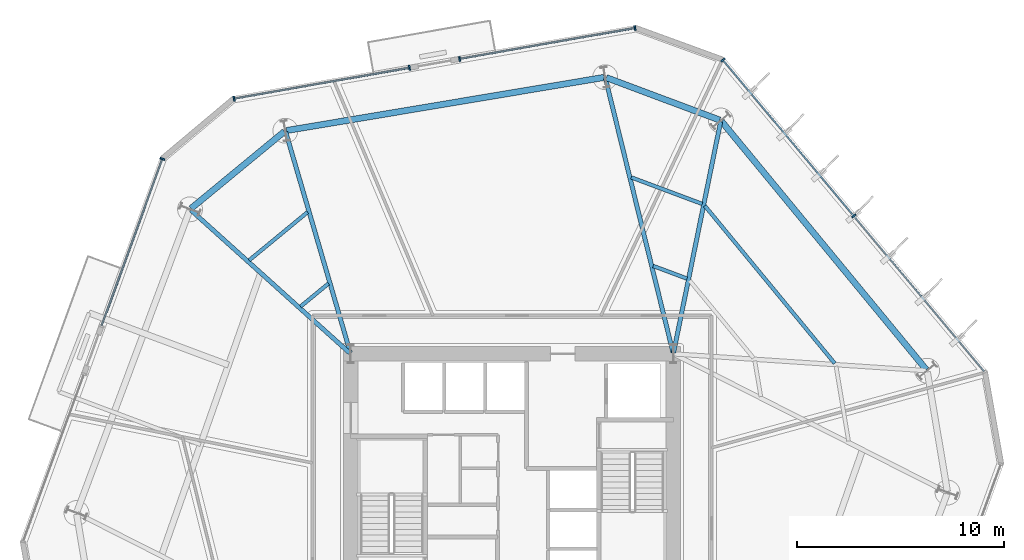
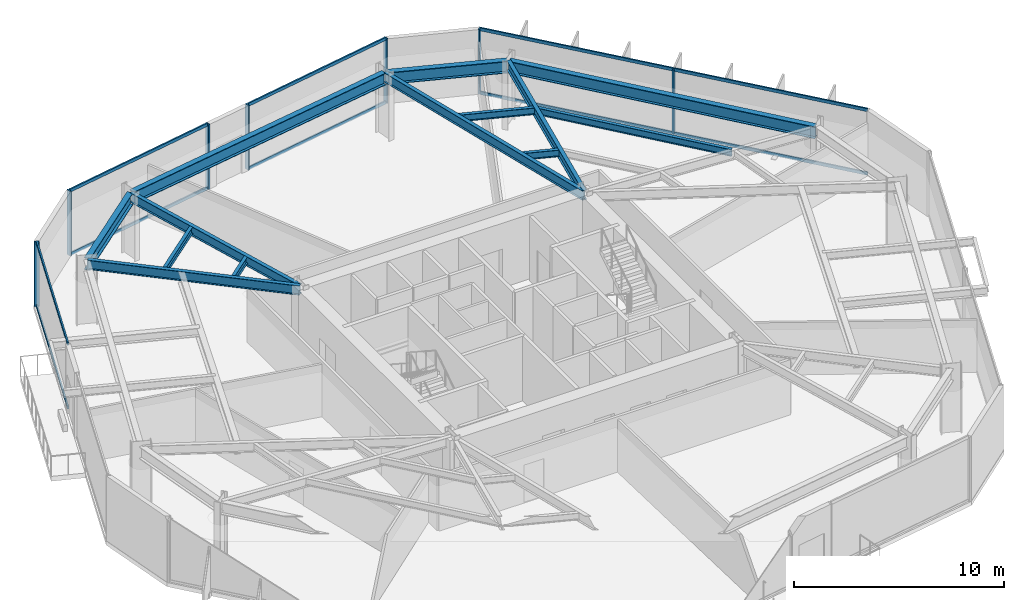
# One storey, part 4 of 10: 17 members, 13 beams, 4 elements without a shape of their own.
"""IFC4 building model written with IfcOpenShell, lengths in metres."""

from ifc_helpers import new_model, si_unit, direction, frame, origin, origin_2d, place, context, subcontext, project, spatial, rectangle, i_section, extrude, material, layer, layer_set, material_profile, profile_set, type_object, element, aggregate, save


model = new_model("IFC4")

# Units and contexts
model_context = context("Model", 3, precision=1e-05, world=origin(), true_north=direction((0.0, 1.0)))
body_context = subcontext(model_context, "Body", "Model", "MODEL_VIEW")
ifc_project = project(units=[si_unit("LENGTHUNIT", "METRE"), si_unit("AREAUNIT", "SQUARE_METRE"), si_unit("VOLUMEUNIT", "CUBIC_METRE"), si_unit("PLANEANGLEUNIT", "RADIAN"), si_unit("MASSUNIT", "GRAM", prefix="KILO")], contexts=[model_context])

# Site, building, storey
site_placement = place(None, origin())
site = spatial("IfcSite", under=ifc_project, at=site_placement, CompositionType="ELEMENT")
building_placement = place(site_placement, origin())
building = spatial("IfcBuilding", under=site, at=building_placement, Name="Kranzbogen Civic Tower", CompositionType="ELEMENT")
storey_placement = place(building_placement, frame((0.0, 0.0, 60.0)))
storey = spatial("IfcBuildingStorey", under=building, at=storey_placement, Name="L14", CompositionType="ELEMENT", Elevation=60.0)

# Curtain wall, members
ifc_material_1 = material(Name="Pale Anodised Aluminium", Category="aluminium")
ifc_layer = layer(ifc_material_1, 0.219970703125, Name="Pale Anodised Aluminium")
ifc_layer_set = layer_set([ifc_layer], Name="Pale Anodised Aluminium")
curtain_wall_type = type_object("IfcCurtainWallType", Name="Zone 1 Stick Curtain Wall System CW-02", PredefinedType="USERDEFINED", material=ifc_layer_set)
curtain_wall_1_placement = place(storey_placement, origin())
curtain_wall_1 = element("IfcCurtainWall", 1, at=curtain_wall_1_placement, inside=storey, type_object=curtain_wall_type, Name="L14 curtain wall CW-L14-F1", ObjectType="STICK CURTAIN WALL", PredefinedType="USERDEFINED")
ifc_material_profile_1 = material_profile(ifc_material_1, rectangle(XDim=0.080078125, YDim=0.239990234375, at=origin_2d()), Name="ALU-M 80x240")
ifc_profile_set_1 = profile_set([ifc_material_profile_1], Name="Pale Anodised Aluminium")
member_type_1 = type_object("IfcMemberType", Name="Curtain Wall Mullion ALU-M 80x240", PredefinedType="MULLION", material=ifc_profile_set_1)
member_1_placement = place(storey_placement, frame((41.525390625, 38.866943359375, 0.0), z_axis=(0.0, 0.0, 1.0), x_axis=(-0.64275131969, 0.766074892577, 0.0)))
member_1 = element("IfcMember", 2, at=member_1_placement, type_object=member_type_1, Name="CW-02 mullion 2", PredefinedType="MULLION", context=body_context, shape_type="SweptSolid", body=[
    extrude(rectangle(XDim=0.080078125, YDim=0.239990234375, at=origin_2d()), origin(), (0.0, 0.0, 1.0), 3.760009765625),
])
member_2_placement = place(storey_placement, frame((35.19921875, 46.406982421875, 0.0), z_axis=(0.0, 0.0, 1.0), x_axis=(-0.64275131969, 0.766074892577, 0.0)))
member_2 = element("IfcMember", 3, at=member_2_placement, type_object=member_type_1, Name="CW-02 mullion 3", PredefinedType="MULLION", context=body_context, shape_type="SweptSolid", body=[
    extrude(rectangle(XDim=0.080078125, YDim=0.239990234375, at=origin_2d()), origin(), (0.0, 0.0, 1.0), 3.760009765625),
])

curtain_wall_2_placement = place(storey_placement, origin())
curtain_wall_2 = element("IfcCurtainWall", 4, at=curtain_wall_2_placement, inside=storey, type_object=curtain_wall_type, Name="L14 curtain wall CW-L14-F2-S1", ObjectType="STICK CURTAIN WALL", PredefinedType="USERDEFINED")
member_3_placement = place(storey_placement, frame((30.946533203125, 47.954833984375, 0.0), z_axis=(0.0, 0.0, 1.0), x_axis=(-0.984804448011, -0.173666920217, 0.0)))
member_3 = element("IfcMember", 5, at=member_3_placement, type_object=member_type_1, Name="CW-02 mullion 1", PredefinedType="MULLION", context=body_context, shape_type="SweptSolid", body=[
    extrude(rectangle(XDim=0.080078125, YDim=0.239990234375, at=origin_2d()), origin(), (0.0, 0.0, 1.0), 3.760009765625),
])
member_4_placement = place(storey_placement, frame((22.465576171875, 46.459228515625, 0.0), z_axis=(0.0, 0.0, 1.0), x_axis=(-0.984804448011, -0.173666920217, 0.0)))
member_4 = element("IfcMember", 6, at=member_4_placement, type_object=member_type_1, Name="CW-02 mullion 2", PredefinedType="MULLION", context=body_context, shape_type="SweptSolid", body=[
    extrude(rectangle(XDim=0.080078125, YDim=0.239990234375, at=origin_2d()), origin(), (0.0, 0.0, 1.0), 3.760009765625),
])

curtain_wall_3_placement = place(storey_placement, origin())
curtain_wall_3 = element("IfcCurtainWall", 7, at=curtain_wall_3_placement, inside=storey, type_object=curtain_wall_type, Name="L14 curtain wall CW-L14-F2-S2", ObjectType="STICK CURTAIN WALL", PredefinedType="USERDEFINED")
member_5_placement = place(storey_placement, frame((20.04248046875, 46.03173828125, 0.0), z_axis=(0.0, 0.0, 1.0), x_axis=(-0.984807925391, -0.173647200057, 0.0)))
member_5 = element("IfcMember", 8, at=member_5_placement, type_object=member_type_1, Name="CW-02 mullion 1", PredefinedType="MULLION", context=body_context, shape_type="SweptSolid", body=[
    extrude(rectangle(XDim=0.080078125, YDim=0.239990234375, at=origin_2d()), origin(), (0.0, 0.0, 1.0), 3.760009765625),
])
member_6_placement = place(storey_placement, frame((11.560546875, 44.5361328125, 0.0), z_axis=(0.0, 0.0, 1.0), x_axis=(-0.984807925391, -0.173647200057, 0.0)))
member_6 = element("IfcMember", 9, at=member_6_placement, type_object=member_type_1, Name="CW-02 mullion 2", PredefinedType="MULLION", context=body_context, shape_type="SweptSolid", body=[
    extrude(rectangle(XDim=0.080078125, YDim=0.239990234375, at=origin_2d()), origin(), (0.0, 0.0, 1.0), 3.760009765625),
])

# Curtain wall, member
curtain_wall_4_placement = place(storey_placement, origin())
curtain_wall_4 = element("IfcCurtainWall", 10, at=curtain_wall_4_placement, inside=storey, type_object=curtain_wall_type, Name="L14 curtain wall CW-L14-F3-S1", ObjectType="STICK CURTAIN WALL", PredefinedType="USERDEFINED")
member_7_placement = place(storey_placement, frame((8.0947265625, 41.626708984375, 0.0), z_axis=(0.0, 0.0, 1.0), x_axis=(-0.342020811393, -0.939692377629, 0.0)))
member_7 = element("IfcMember", 11, at=member_7_placement, type_object=member_type_1, Name="CW-02 mullion 1", PredefinedType="MULLION", context=body_context, shape_type="SweptSolid", body=[
    extrude(rectangle(XDim=0.080078125, YDim=0.239990234375, at=origin_2d()), origin(), (0.0, 0.0, 1.0), 3.760009765625),
])

# Member
ifc_material_profile_2 = material_profile(ifc_material_1, rectangle(XDim=0.080078125, YDim=0.179931640625, at=origin_2d()), Name="ALU-T 80x180")
ifc_profile_set_2 = profile_set([ifc_material_profile_2], Name="Pale Anodised Aluminium")
member_type_2 = type_object("IfcMemberType", Name="Curtain Wall Transom ALU-T 80x180", PredefinedType="USERDEFINED", material=ifc_profile_set_2)
member_8_placement = place(storey_placement, frame((47.83251953125, 31.349853515625, 0.030029296875), z_axis=(-0.642758285529, 0.766069048053, 0.0), x_axis=(-0.766069048053, -0.642758285529, 0.0)))
member_8 = element("IfcMember", 12, at=member_8_placement, type_object=member_type_2, Name="CW-02 transom 1.1", ObjectType="TRANSOM", PredefinedType="USERDEFINED", context=body_context, shape_type="SweptSolid", body=[
    extrude(rectangle(XDim=0.080078125, YDim=0.179931640625, at=origin_2d()), origin(), (0.0, 0.0, 1.0), 9.782470703125),
])

member_9_placement = place(storey_placement, frame((47.83251953125, 31.349853515625, 3.72998046875), z_axis=(-0.642758285529, 0.766069048053, 0.0), x_axis=(-0.766069048053, -0.642758285529, 0.0)))
member_9 = element("IfcMember", 13, at=member_9_placement, type_object=member_type_2, Name="CW-02 transom 1.2", ObjectType="TRANSOM", PredefinedType="USERDEFINED", context=body_context, shape_type="SweptSolid", body=[
    extrude(rectangle(XDim=0.080078125, YDim=0.179931640625, at=origin_2d()), origin(), (0.0, 0.0, 1.0), 9.782470703125),
])

member_10_placement = place(storey_placement, frame((41.506103515625, 38.889892578125, 0.030029296875), z_axis=(-0.642743639078, 0.76608133669, 0.0), x_axis=(-0.76608133669, -0.642743639078, 0.0)))
member_10 = element("IfcMember", 14, at=member_10_placement, type_object=member_type_2, Name="CW-02 transom 2.1", ObjectType="TRANSOM", PredefinedType="USERDEFINED", context=body_context, shape_type="SweptSolid", body=[
    extrude(rectangle(XDim=0.080078125, YDim=0.179931640625, at=origin_2d()), origin(), (0.0, 0.0, 1.0), 9.782470703125),
])

member_11_placement = place(storey_placement, frame((41.506103515625, 38.889892578125, 3.72998046875), z_axis=(-0.642743639078, 0.76608133669, 0.0), x_axis=(-0.76608133669, -0.642743639078, 0.0)))
member_11 = element("IfcMember", 15, at=member_11_placement, type_object=member_type_2, Name="CW-02 transom 2.2", ObjectType="TRANSOM", PredefinedType="USERDEFINED", context=body_context, shape_type="SweptSolid", body=[
    extrude(rectangle(XDim=0.080078125, YDim=0.179931640625, at=origin_2d()), origin(), (0.0, 0.0, 1.0), 9.782470703125),
])

aggregate(curtain_wall_1, [member_1, member_2, member_8, member_9, member_10, member_11])

member_12_placement = place(storey_placement, frame((30.9169921875, 47.949462890625, 0.030029296875), z_axis=(-0.984805680635, -0.173659930291, 0.0), x_axis=(0.173659930291, -0.984805680635, 0.0)))
member_12 = element("IfcMember", 16, at=member_12_placement, type_object=member_type_2, Name="CW-02 transom 1.1", ObjectType="TRANSOM", PredefinedType="USERDEFINED", context=body_context, shape_type="SweptSolid", body=[
    extrude(rectangle(XDim=0.080078125, YDim=0.179931640625, at=origin_2d()), origin(), (0.0, 0.0, 1.0), 8.5517578125),
])

member_13_placement = place(storey_placement, frame((30.9169921875, 47.949462890625, 3.72998046875), z_axis=(-0.984805680635, -0.173659930291, 0.0), x_axis=(0.173659930291, -0.984805680635, 0.0)))
member_13 = element("IfcMember", 17, at=member_13_placement, type_object=member_type_2, Name="CW-02 transom 1.2", ObjectType="TRANSOM", PredefinedType="USERDEFINED", context=body_context, shape_type="SweptSolid", body=[
    extrude(rectangle(XDim=0.080078125, YDim=0.179931640625, at=origin_2d()), origin(), (0.0, 0.0, 1.0), 8.5517578125),
])

aggregate(curtain_wall_2, [member_3, member_4, member_12, member_13])

member_14_placement = place(storey_placement, frame((20.012939453125, 46.026611328125, 0.030029296875), z_axis=(-0.984809123879, -0.173640402915, 0.0), x_axis=(0.173640402915, -0.984809123879, 0.0)))
member_14 = element("IfcMember", 18, at=member_14_placement, type_object=member_type_2, Name="CW-02 transom 1.1", ObjectType="TRANSOM", PredefinedType="USERDEFINED", context=body_context, shape_type="SweptSolid", body=[
    extrude(rectangle(XDim=0.080078125, YDim=0.179931640625, at=origin_2d()), origin(), (0.0, 0.0, 1.0), 8.552734375),
])

member_15_placement = place(storey_placement, frame((20.012939453125, 46.026611328125, 3.72998046875), z_axis=(-0.984809123879, -0.173640402915, 0.0), x_axis=(0.173640402915, -0.984809123879, 0.0)))
member_15 = element("IfcMember", 19, at=member_15_placement, type_object=member_type_2, Name="CW-02 transom 1.2", ObjectType="TRANSOM", PredefinedType="USERDEFINED", context=body_context, shape_type="SweptSolid", body=[
    extrude(rectangle(XDim=0.080078125, YDim=0.179931640625, at=origin_2d()), origin(), (0.0, 0.0, 1.0), 8.552734375),
])

aggregate(curtain_wall_3, [member_5, member_6, member_14, member_15])

member_16_placement = place(storey_placement, frame((8.08447265625, 41.5986328125, 0.030029296875), z_axis=(-0.342034153421, -0.93968752141, 0.0), x_axis=(0.93968752141, -0.342034153421, 0.0)))
member_16 = element("IfcMember", 20, at=member_16_placement, type_object=member_type_2, Name="CW-02 transom 1.1", ObjectType="TRANSOM", PredefinedType="USERDEFINED", context=body_context, shape_type="SweptSolid", body=[
    extrude(rectangle(XDim=0.080078125, YDim=0.179931640625, at=origin_2d()), origin(), (0.0, 0.0, 1.0), 8.552001953125),
])

member_17_placement = place(storey_placement, frame((8.08447265625, 41.5986328125, 3.72998046875), z_axis=(-0.342034153421, -0.93968752141, 0.0), x_axis=(0.93968752141, -0.342034153421, 0.0)))
member_17 = element("IfcMember", 21, at=member_17_placement, type_object=member_type_2, Name="CW-02 transom 1.2", ObjectType="TRANSOM", PredefinedType="USERDEFINED", context=body_context, shape_type="SweptSolid", body=[
    extrude(rectangle(XDim=0.080078125, YDim=0.179931640625, at=origin_2d()), origin(), (0.0, 0.0, 1.0), 8.552001953125),
])

aggregate(curtain_wall_4, [member_7, member_16, member_17])

# Beams
ifc_material_2 = material(Name="Steel S355", Category="steel")
ifc_material_profile_3 = material_profile(ifc_material_2, i_section(OverallWidth=0.300048828125, OverallDepth=0.699951171875, WebThickness=0.01708984375, FlangeThickness=0.031982421875, at=origin_2d()), Name="HEB 700")
ifc_profile_set_3 = profile_set([ifc_material_profile_3], Name="Steel S355")
beam_type_1 = type_object("IfcBeamType", Name="Perimeter Tube Spandrel Beam HEB 700", PredefinedType="SPANDREL", material=ifc_profile_set_3)
beam_1_placement = place(storey_placement, frame((45.033935546875, 31.431884765625, 3.409912109375), z_axis=(-0.636074572579, 0.771627590304, 0.0), x_axis=(-0.771627590304, -0.636074572579, 0.0)))
element("IfcBeam", 22, at=beam_1_placement, inside=storey, type_object=beam_type_1, Name="L14 perimeter spandrel beam 08", PredefinedType="SPANDREL", context=body_context, shape_type="SweptSolid", body=[
    extrude(i_section(OverallWidth=0.300048828125, OverallDepth=0.699951171875, WebThickness=0.01708984375, FlangeThickness=0.031982421875, at=origin_2d()), origin(), (0.0, 0.0, 1.0), 15.5595703125),
])
beam_2_placement = place(storey_placement, frame((35.04296875, 43.5048828125, 3.409912109375), z_axis=(-0.936647646965, 0.350273015568, 0.0), x_axis=(-0.350273015568, -0.936647646965, 0.0)))
element("IfcBeam", 23, at=beam_2_placement, inside=storey, type_object=beam_type_1, Name="L14 perimeter spandrel beam 09", PredefinedType="SPANDREL", context=body_context, shape_type="SweptSolid", body=[
    extrude(i_section(OverallWidth=0.300048828125, OverallDepth=0.699951171875, WebThickness=0.01708984375, FlangeThickness=0.031982421875, at=origin_2d()), origin(), (0.0, 0.0, 1.0), 5.852783203125),
])
beam_3_placement = place(storey_placement, frame((29.446044921875, 45.56591796875, 3.409912109375), z_axis=(-0.986285563243, -0.165047834697, 0.0), x_axis=(0.165047834697, -0.986285563243, 0.0)))
element("IfcBeam", 24, at=beam_3_placement, inside=storey, type_object=beam_type_1, Name="L14 perimeter spandrel beam 10", PredefinedType="SPANDREL", context=body_context, shape_type="SweptSolid", body=[
    extrude(i_section(OverallWidth=0.300048828125, OverallDepth=0.699951171875, WebThickness=0.01708984375, FlangeThickness=0.031982421875, at=origin_2d()), origin(), (0.0, 0.0, 1.0), 15.558349609375),
])
beam_4_placement = place(storey_placement, frame((13.99609375, 42.949951171875, 3.409912109375), z_axis=(-0.77168336865, -0.636006901337, 0.0), x_axis=(0.636006901337, -0.77168336865, 0.0)))
element("IfcBeam", 25, at=beam_4_placement, inside=storey, type_object=beam_type_1, Name="L14 perimeter spandrel beam 11", PredefinedType="SPANDREL", context=body_context, shape_type="SweptSolid", body=[
    extrude(i_section(OverallWidth=0.300048828125, OverallDepth=0.699951171875, WebThickness=0.01708984375, FlangeThickness=0.031982421875, at=origin_2d()), origin(), (0.0, 0.0, 1.0), 5.853515625),
])
ifc_material_profile_4 = material_profile(ifc_material_2, i_section(OverallWidth=0.2099609375, OverallDepth=0.550048828125, WebThickness=0.010986328125, FlangeThickness=0.01708984375, at=origin_2d()), Name="IPE 550")
ifc_profile_set_4 = profile_set([ifc_material_profile_4], Name="Steel S355")
beam_type_2 = type_object("IfcBeamType", Name="Radial Tower Floor Girder IPE 550", PredefinedType="BEAM", material=ifc_profile_set_4)
beam_5_placement = place(storey_placement, frame((35.0869140625, 43.425048828125, 3.485107421875), z_axis=(-0.199633433694, -0.979870650725, 0.0), x_axis=(0.979870650725, -0.199633433694, 0.0)))
element("IfcBeam", 26, at=beam_5_placement, inside=storey, type_object=beam_type_2, Name="L14 radial floor girder 09", PredefinedType="BEAM", context=body_context, shape_type="SweptSolid", body=[
    extrude(i_section(OverallWidth=0.2099609375, OverallDepth=0.550048828125, WebThickness=0.010986328125, FlangeThickness=0.01708984375, at=origin_2d()), origin(), (0.0, 0.0, 1.0), 11.3955078125),
])
beam_6_placement = place(storey_placement, frame((29.51904296875, 45.51806640625, 3.485107421875), z_axis=(0.239215348776, -0.970966537482, 0.0), x_axis=(0.970966537482, 0.239215348776, 0.0)))
element("IfcBeam", 27, at=beam_6_placement, inside=storey, type_object=beam_type_2, Name="L14 radial floor girder 10", PredefinedType="BEAM", context=body_context, shape_type="SweptSolid", body=[
    extrude(i_section(OverallWidth=0.2099609375, OverallDepth=0.550048828125, WebThickness=0.010986328125, FlangeThickness=0.01708984375, at=origin_2d()), origin(), (0.0, 0.0, 1.0), 13.656494140625),
])
beam_7_placement = place(storey_placement, frame((14.05908203125, 42.929931640625, 3.485107421875), z_axis=(0.280944131918, -0.959724124288, 0.0), x_axis=(0.959724124288, 0.280944131918, 0.0)))
element("IfcBeam", 28, at=beam_7_placement, inside=storey, type_object=beam_type_2, Name="L14 radial floor girder 11", PredefinedType="BEAM", context=body_context, shape_type="SweptSolid", body=[
    extrude(i_section(OverallWidth=0.2099609375, OverallDepth=0.550048828125, WebThickness=0.010986328125, FlangeThickness=0.01708984375, at=origin_2d()), origin(), (0.0, 0.0, 1.0), 11.11962890625),
])
beam_8_placement = place(storey_placement, frame((9.47802734375, 39.14892578125, 3.485107421875), z_axis=(0.743311776894, -0.668945141496, 0.0), x_axis=(0.668945141496, 0.743311776894, 0.0)))
element("IfcBeam", 29, at=beam_8_placement, inside=storey, type_object=beam_type_2, Name="L14 radial floor girder 12", PredefinedType="BEAM", context=body_context, shape_type="SweptSolid", body=[
    extrude(i_section(OverallWidth=0.2099609375, OverallDepth=0.550048828125, WebThickness=0.010986328125, FlangeThickness=0.01708984375, at=origin_2d()), origin(), (0.0, 0.0, 1.0), 10.328125),
])
ifc_material_profile_5 = material_profile(ifc_material_2, i_section(OverallWidth=0.179931640625, OverallDepth=0.39990234375, WebThickness=0.008544921875, FlangeThickness=0.013427734375, at=origin_2d()), Name="IPE 400")
ifc_profile_set_5 = profile_set([ifc_material_profile_5], Name="Steel S355")
beam_type_3 = type_object("IfcBeamType", Name="Secondary Composite Floor Joist IPE 400", PredefinedType="JOIST", material=ifc_profile_set_5)
beam_9_placement = place(storey_placement, frame((40.60302734375, 31.740966796875, 3.56005859375), z_axis=(-0.636094561772, 0.771611112209, 0.0), x_axis=(-0.771611112209, -0.636094561772, 0.0)))
element("IfcBeam", 30, at=beam_9_placement, inside=storey, type_object=beam_type_3, Name="L14 secondary floor joist 1.08", PredefinedType="JOIST", context=body_context, shape_type="SweptSolid", body=[
    extrude(i_section(OverallWidth=0.179931640625, OverallDepth=0.39990234375, WebThickness=0.008544921875, FlangeThickness=0.013427734375, at=origin_2d()), origin(), (0.0, 0.0, 1.0), 9.874267578125),
])
beam_10_placement = place(storey_placement, frame((34.196044921875, 39.449951171875, 3.56005859375), z_axis=(-0.936622008794, 0.350341565678, 0.0), x_axis=(-0.350341565678, -0.936622008794, 0.0)))
element("IfcBeam", 31, at=beam_10_placement, inside=storey, type_object=beam_type_3, Name="L14 secondary floor joist 1.09", PredefinedType="JOIST", context=body_context, shape_type="SweptSolid", body=[
    extrude(i_section(OverallWidth=0.179931640625, OverallDepth=0.39990234375, WebThickness=0.008544921875, FlangeThickness=0.013427734375, at=origin_2d()), origin(), (0.0, 0.0, 1.0), 3.662109375),
])
beam_11_placement = place(storey_placement, frame((33.4609375, 35.839111328125, 3.56005859375), z_axis=(-0.936735458815, 0.350038112495, 0.0), x_axis=(-0.350038112495, -0.936735458815, 0.0)))
element("IfcBeam", 32, at=beam_11_placement, inside=storey, type_object=beam_type_3, Name="L14 secondary floor joist 2.09", PredefinedType="JOIST", context=body_context, shape_type="SweptSolid", body=[
    extrude(i_section(OverallWidth=0.179931640625, OverallDepth=0.39990234375, WebThickness=0.008544921875, FlangeThickness=0.013427734375, at=origin_2d()), origin(), (0.0, 0.0, 1.0), 1.750732421875),
])
beam_12_placement = place(storey_placement, frame((15.116943359375, 39.052978515625, 3.56005859375), z_axis=(-0.771712720426, -0.635971286406, 0.0), x_axis=(0.635971286406, -0.771712720426, 0.0)))
element("IfcBeam", 33, at=beam_12_placement, inside=storey, type_object=beam_type_3, Name="L14 secondary floor joist 1.11", PredefinedType="JOIST", context=body_context, shape_type="SweptSolid", body=[
    extrude(i_section(OverallWidth=0.179931640625, OverallDepth=0.39990234375, WebThickness=0.008544921875, FlangeThickness=0.013427734375, at=origin_2d()), origin(), (0.0, 0.0, 1.0), 3.661865234375),
])
beam_13_placement = place(storey_placement, frame((16.1279296875, 35.60107421875, 3.56005859375), z_axis=(-0.771773324836, -0.635897739477, 0.0), x_axis=(0.635897739477, -0.771773324836, 0.0)))
element("IfcBeam", 34, at=beam_13_placement, inside=storey, type_object=beam_type_3, Name="L14 secondary floor joist 2.11", PredefinedType="JOIST", context=body_context, shape_type="SweptSolid", body=[
    extrude(i_section(OverallWidth=0.179931640625, OverallDepth=0.39990234375, WebThickness=0.008544921875, FlangeThickness=0.013427734375, at=origin_2d()), origin(), (0.0, 0.0, 1.0), 1.751953125),
])

save(model, "model.ifc")
